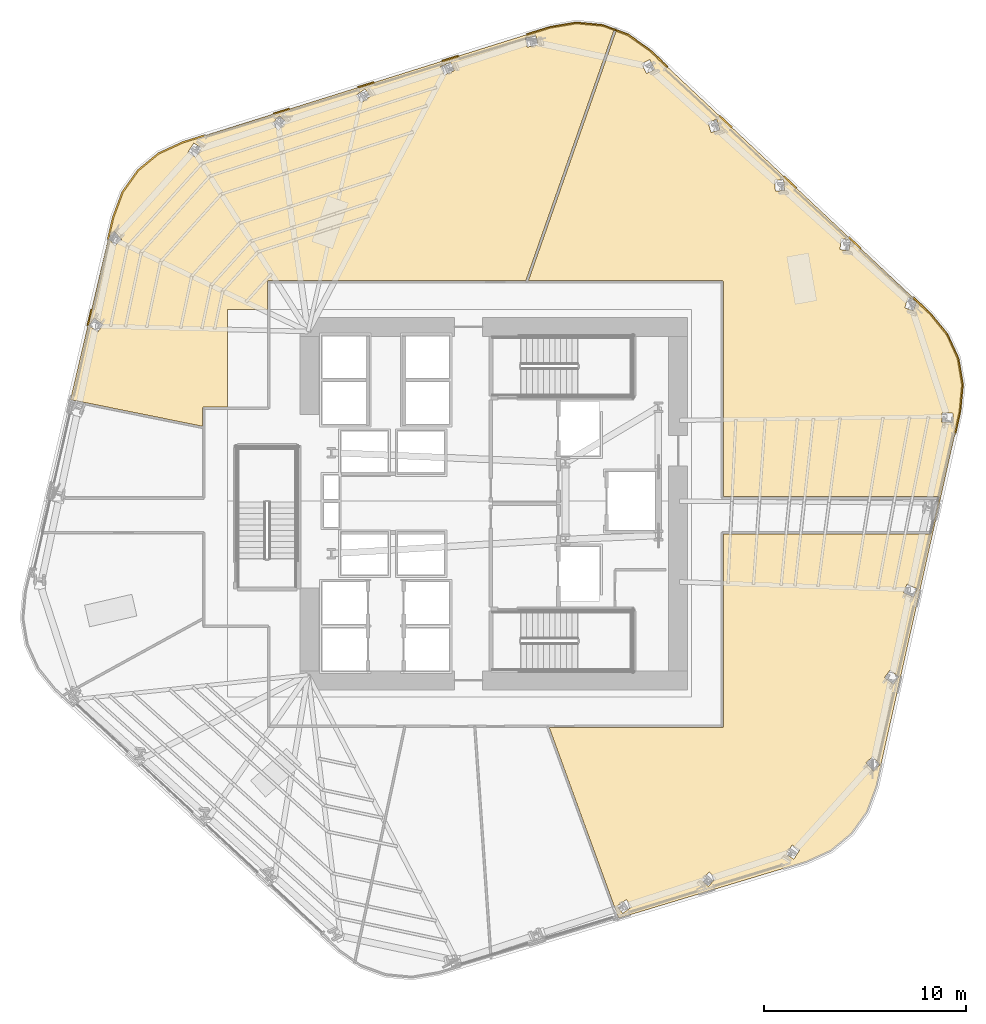
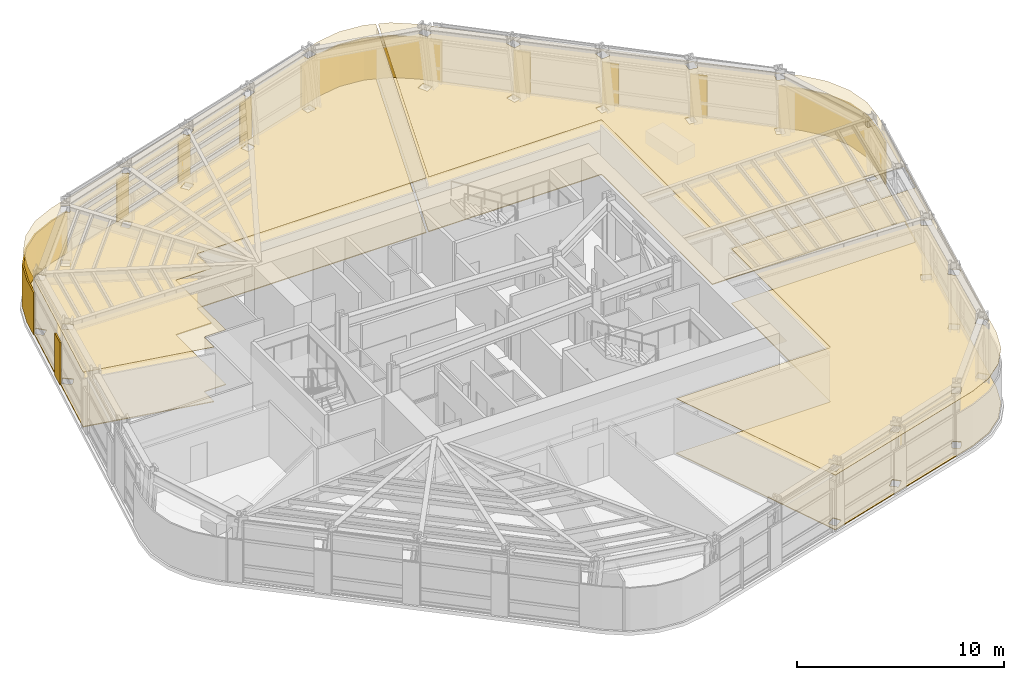
# One storey, part 15 of 16: 14 coverings.
"""IFC4 building model written with IfcOpenShell, lengths in metres."""

from ifc_helpers import new_model, si_unit, direction, frame, origin, place, context, subcontext, project, spatial, polyline, outline, extrude, material, layer, layer_set, type_object, element, save


model = new_model("IFC4")

# Units and contexts
model_context = context("Model", 3, precision=1e-05, world=origin(), true_north=direction((0.0, 1.0)))
body_context = subcontext(model_context, "Body", "Model", "MODEL_VIEW")
ifc_project = project(units=[si_unit("LENGTHUNIT", "METRE"), si_unit("AREAUNIT", "SQUARE_METRE"), si_unit("VOLUMEUNIT", "CUBIC_METRE"), si_unit("PLANEANGLEUNIT", "RADIAN"), si_unit("MASSUNIT", "GRAM", prefix="KILO")], contexts=[model_context])

# Site, building, storey
site_placement = place(None, origin())
site = spatial("IfcSite", under=ifc_project, at=site_placement, CompositionType="ELEMENT")
building_placement = place(site_placement, origin())
building = spatial("IfcBuilding", under=site, at=building_placement, Name="Valkerne Bourse Tower", CompositionType="ELEMENT")
storey_placement = place(building_placement, frame((0.0, 0.0, 97.199951171875)))
storey = spatial("IfcBuildingStorey", under=building, at=storey_placement, Name="L24", CompositionType="ELEMENT", Elevation=97.199951171875)

# Coverings
ifc_material_1 = material(Name="Mineral Fiber Acoustic Ceiling Tile", Category="acoustic")
ifc_layer_1 = layer(ifc_material_1, 0.02490234375)
ifc_layer_set_1 = layer_set([ifc_layer_1], Name="Mineral Fiber Acoustic Ceiling Tile")
covering_type_1 = type_object("IfcCoveringType", Name="COV-CEIL-ACT", PredefinedType="CEILING", material=ifc_layer_set_1)
covering_1_placement = place(storey_placement, frame((0.0, 0.0, 3.22998046875)))
element("IfcCovering", 1, at=covering_1_placement, inside=storey, type_object=covering_type_1, Name="L24 Suspended Ceiling 07", PredefinedType="CEILING", context=body_context, shape_type="SweptSolid", body=[
    extrude(outline(polyline([(29.18212890625, 43.37158203125), (30.198974609375, 44.212646484375), (31.40771484375, 44.76611328125), (49.571533203125, 50.459716796875), (50.881591796875, 50.681396484375), (52.1953125, 50.556884765625), (52.75390625, 50.349365234375), (48.386962890625, 37.9189453125), (35.6494140625, 37.9189453125), (35.619873046875, 37.912109375), (35.591064453125, 37.885986328125), (35.5810546875, 37.8505859375), (35.5810546875, 36.5), (33.60009765625, 36.5), (33.60009765625, 31.667724609375), (32.4326171875, 31.6669921875), (32.394775390625, 31.6416015625), (32.381103515625, 31.6044921875), (32.381103515625, 30.706787109375), (25.83740234375, 32.027099609375), (27.7109375, 40.0126953125), (28.0390625, 39.650390625), (28.371826171875, 39.9501953125), (28.373779296875, 39.953125), (28.01220703125, 40.3525390625), (27.731201171875, 40.099365234375), (27.954345703125, 41.0498046875), (28.417724609375, 42.2958984375), (29.18212890625, 43.37158203125)]), holes=[polyline([(27.45556640625, 35.734130859375), (27.025390625, 36.058837890625), (26.7548828125, 35.701416015625), (26.75341796875, 35.698486328125), (27.18359375, 35.3740234375), (27.4541015625, 35.7314453125), (27.45556640625, 35.734130859375)]), polyline([(32.321533203125, 44.485107421875), (31.94384765625, 44.729248046875), (31.941162109375, 44.72705078125), (31.651123046875, 44.275390625), (32.029052734375, 44.031494140625), (32.031494140625, 44.03369140625), (32.321533203125, 44.485107421875)]), polyline([(36.136962890625, 45.376220703125), (36.5068359375, 45.765380859375), (36.181396484375, 46.075927734375), (36.1787109375, 46.074462890625), (35.808837890625, 45.685302734375), (36.13427734375, 45.37451171875), (36.136962890625, 45.376220703125)]), polyline([(40.23779296875, 46.732421875), (40.67919921875, 47.038330078125), (40.423828125, 47.40869140625), (40.4208984375, 47.40771484375), (39.9794921875, 47.101806640625), (40.23486328125, 46.731689453125), (40.23779296875, 46.732421875)]), polyline([(44.8369140625, 48.312744140625), (44.662109375, 48.727294921875), (44.6591796875, 48.726806640625), (44.164794921875, 48.517333984375), (44.339599609375, 48.102783203125), (44.342529296875, 48.10302734375), (44.8369140625, 48.312744140625)]), polyline([(48.889404296875, 50.036376953125), (48.88623046875, 50.03662109375), (48.361572265625, 49.923583984375), (48.455078125, 49.483642578125), (48.45849609375, 49.4833984375), (48.983154296875, 49.59619140625), (48.889404296875, 50.036376953125)])]), origin(), (0.0, 0.0, 1.0), 0.025146484375),
])
covering_2_placement = place(storey_placement, frame((0.0, 0.0, 3.22998046875)))
element("IfcCovering", 2, at=covering_2_placement, inside=storey, type_object=covering_type_1, Name="L24 Suspended Ceiling 08", PredefinedType="CEILING", context=body_context, shape_type="SweptSolid", body=[
    extrude(outline(polyline([(63.486572265625, 9.7080078125), (62.278564453125, 9.15478515625), (52.97998046875, 6.347900390625), (49.54638671875, 15.781005859375), (58.1005859375, 15.781005859375), (58.135009765625, 15.790283203125), (58.15966796875, 15.81494140625), (58.1689453125, 15.849609375), (58.1689453125, 25.381103515625), (68.413330078125, 25.3818359375), (68.448974609375, 25.3984375), (68.4697265625, 25.434326171875), (68.851318359375, 27.144775390625), (68.84765625, 27.172607421875), (68.833740234375, 27.1962890625), (68.81201171875, 27.21240234375), (68.782958984375, 27.218994140625), (58.1689453125, 27.218994140625), (58.1689453125, 37.8505859375), (58.15185546875, 37.895751953125), (58.12890625, 37.91259765625), (58.100341796875, 37.9189453125), (48.511962890625, 37.9189453125), (52.864501953125, 50.30810546875), (53.431884765625, 50.09716796875), (54.51513671875, 49.327392578125), (67.673583984375, 36.96923828125), (67.3154296875, 37.083984375), (67.14892578125, 36.572998046875), (67.150390625, 36.56982421875), (67.577880859375, 36.432861328125), (67.734130859375, 36.912109375), (68.390380859375, 36.2958984375), (69.23779296875, 35.271484375), (69.787109375, 34.07177734375), (70.007080078125, 32.770751953125), (69.882080078125, 31.447265625), (65.73095703125, 12.8701171875), (65.267578125, 11.624755859375), (64.50341796875, 10.549072265625), (63.486572265625, 9.7080078125)]), holes=[polyline([(53.62060546875, 6.898193359375), (53.365234375, 7.268310546875), (53.3623046875, 7.267578125), (52.9208984375, 6.961669921875), (53.17626953125, 6.59130859375), (53.17919921875, 6.59228515625), (53.62060546875, 6.898193359375)]), polyline([(54.5234375, 48.861083984375), (54.520263671875, 48.8623046875), (54.12158203125, 48.65576171875), (54.366455078125, 48.17724609375), (54.36962890625, 48.176025390625), (54.768310546875, 48.382568359375), (54.5234375, 48.861083984375)]), polyline([(57.421142578125, 7.925537109375), (57.791015625, 8.314697265625), (57.4658203125, 8.62548828125), (57.462890625, 8.623779296875), (57.093017578125, 8.234619140625), (57.41845703125, 7.924072265625), (57.421142578125, 7.925537109375)]), polyline([(61.65869140625, 9.27294921875), (61.94873046875, 9.724609375), (61.571044921875, 9.968505859375), (61.568359375, 9.96630859375), (61.2783203125, 9.514892578125), (61.65625, 9.270751953125), (61.65869140625, 9.27294921875)]), polyline([(65.922607421875, 13.9501953125), (65.56103515625, 14.349609375), (65.228271484375, 14.0498046875), (65.226318359375, 14.046875), (65.587890625, 13.6474609375), (65.920654296875, 13.947509765625), (65.922607421875, 13.9501953125)]), polyline([(66.846435546875, 18.301513671875), (66.41650390625, 18.6259765625), (66.145751953125, 18.2685546875), (66.14453125, 18.265869140625), (66.57470703125, 17.941162109375), (66.84521484375, 18.298583984375), (66.846435546875, 18.301513671875)]), polyline([(67.756591796875, 22.65771484375), (67.26953125, 22.8876953125), (67.0771484375, 22.48291015625), (67.076416015625, 22.479736328125), (67.563720703125, 22.24951171875), (67.755859375, 22.654541015625), (67.756591796875, 22.65771484375)]), polyline([(69.53857421875, 31.351318359375), (69.00048828125, 31.377197265625), (68.978271484375, 30.9296875), (68.978759765625, 30.92626953125), (69.516845703125, 30.900634765625), (69.5390625, 31.34814453125), (69.53857421875, 31.351318359375)]), polyline([(64.453857421875, 39.93701171875), (64.451904296875, 39.939453125), (64.006103515625, 39.993896484375), (63.938720703125, 39.460205078125), (63.940673828125, 39.457763671875), (64.386474609375, 39.4033203125), (64.453857421875, 39.93701171875)]), polyline([(61.1494140625, 42.924560546875), (61.147216796875, 42.926513671875), (60.699462890625, 42.88916015625), (60.7421875, 42.35302734375), (60.74462890625, 42.35107421875), (61.192138671875, 42.388427734375), (61.1494140625, 42.924560546875)]), polyline([(57.987548828125, 45.3837890625), (57.836669921875, 45.900146484375), (57.833984375, 45.901611328125), (57.4033203125, 45.77392578125), (57.55419921875, 45.2578125), (57.556884765625, 45.256103515625), (57.987548828125, 45.3837890625)])]), origin(), (0.0, 0.0, 1.0), 0.025146484375),
])
ifc_material_2 = material(Name="Bronze Anodised Aluminium AA 6063-T6", Category="aluminium")
ifc_layer_2 = layer(ifc_material_2, 0.06005859375)
ifc_layer_set_2 = layer_set([ifc_layer_2], Name="Bronze Anodised Aluminium AA 6063-T6")
covering_type_2 = type_object("IfcCoveringType", Name="COV-CRN-ALUM", PredefinedType="CLADDING", material=ifc_layer_set_2)
covering_3_placement = place(storey_placement, origin())
element("IfcCovering", 3, at=covering_3_placement, inside=storey, type_object=covering_type_2, Name="L24 Wind-Shaped Corner Aluminium Cladding 12", PredefinedType="CLADDING", context=body_context, shape_type="SweptSolid", body=[
    extrude(outline(polyline([(26.84130859375, 36.49853515625), (26.919189453125, 36.480712890625), (26.727294921875, 35.662841796875), (26.6494140625, 35.6806640625), (26.84130859375, 36.49853515625)])), origin(), (0.0, 0.0, 1.0), 2.5),
])
covering_4_placement = place(storey_placement, origin())
element("IfcCovering", 4, at=covering_4_placement, inside=storey, type_object=covering_type_2, Name="L24 Wind-Shaped Corner Aluminium Cladding 13", PredefinedType="CLADDING", context=body_context, shape_type="SweptSolid", body=[
    extrude(outline(polyline([(27.912109375, 41.0625), (28.37841796875, 42.316650390625), (29.149658203125, 43.401611328125), (30.17529296875, 44.250244140625), (31.391845703125, 44.807373046875), (32.484619140625, 45.14990234375), (32.508056640625, 45.0732421875), (31.42041015625, 44.732421875), (30.21826171875, 44.181884765625), (29.208740234375, 43.3466796875), (28.449951171875, 42.27880859375), (27.989013671875, 41.03955078125), (27.728515625, 39.929931640625), (27.650634765625, 39.947998046875), (27.912109375, 41.0625)])), origin(), (0.0, 0.0, 1.0), 2.5),
])
covering_5_placement = place(storey_placement, origin())
element("IfcCovering", 5, at=covering_5_placement, inside=storey, type_object=covering_type_2, Name="L24 Wind-Shaped Corner Aluminium Cladding 14", PredefinedType="CLADDING", context=body_context, shape_type="SweptSolid", body=[
    extrude(outline(polyline([(36.666748046875, 46.460693359375), (36.6904296875, 46.38427734375), (35.888916015625, 46.133056640625), (35.865234375, 46.20947265625), (36.666748046875, 46.460693359375)])), origin(), (0.0, 0.0, 1.0), 2.5),
])
covering_6_placement = place(storey_placement, origin())
element("IfcCovering", 6, at=covering_6_placement, inside=storey, type_object=covering_type_2, Name="L24 Wind-Shaped Corner Aluminium Cladding 15", PredefinedType="CLADDING", context=body_context, shape_type="SweptSolid", body=[
    extrude(outline(polyline([(40.849365234375, 47.771728515625), (40.872802734375, 47.6953125), (40.0712890625, 47.444091796875), (40.047607421875, 47.5205078125), (40.849365234375, 47.771728515625)])), origin(), (0.0, 0.0, 1.0), 2.5),
])
covering_7_placement = place(storey_placement, origin())
element("IfcCovering", 7, at=covering_7_placement, inside=storey, type_object=covering_type_2, Name="L24 Wind-Shaped Corner Aluminium Cladding 16", PredefinedType="CLADDING", context=body_context, shape_type="SweptSolid", body=[
    extrude(outline(polyline([(45.03173828125, 49.082763671875), (45.05517578125, 49.00634765625), (44.253662109375, 48.7548828125), (44.22998046875, 48.83154296875), (45.03173828125, 49.082763671875)])), origin(), (0.0, 0.0, 1.0), 2.5),
])
covering_8_placement = place(storey_placement, origin())
element("IfcCovering", 8, at=covering_8_placement, inside=storey, type_object=covering_type_2, Name="L24 Wind-Shaped Corner Aluminium Cladding 17", PredefinedType="CLADDING", context=body_context, shape_type="SweptSolid", body=[
    extrude(outline(polyline([(49.561279296875, 50.50244140625), (50.8798828125, 50.7255859375), (52.205078125, 50.600341796875), (53.452880859375, 50.136474609375), (54.543212890625, 49.361572265625), (55.420654296875, 48.537353515625), (55.3662109375, 48.478759765625), (54.4921875, 49.299560546875), (53.4150390625, 50.06494140625), (52.187255859375, 50.521484375), (50.8828125, 50.64501953125), (49.579833984375, 50.424560546875), (48.43603515625, 50.06591796875), (48.41259765625, 50.142578125), (49.561279296875, 50.50244140625)])), origin(), (0.0, 0.0, 1.0), 2.5),
])
covering_9_placement = place(storey_placement, origin())
element("IfcCovering", 9, at=covering_9_placement, inside=storey, type_object=covering_type_2, Name="L24 Wind-Shaped Corner Aluminium Cladding 18", PredefinedType="CLADDING", context=body_context, shape_type="SweptSolid", body=[
    extrude(outline(polyline([(58.615478515625, 45.536865234375), (58.56103515625, 45.478271484375), (57.94873046875, 46.05322265625), (58.003173828125, 46.11181640625), (58.615478515625, 45.536865234375)])), origin(), (0.0, 0.0, 1.0), 2.5),
])
covering_10_placement = place(storey_placement, origin())
element("IfcCovering", 10, at=covering_10_placement, inside=storey, type_object=covering_type_2, Name="L24 Wind-Shaped Corner Aluminium Cladding 19", PredefinedType="CLADDING", context=body_context, shape_type="SweptSolid", body=[
    extrude(outline(polyline([(61.810302734375, 42.5361328125), (61.756103515625, 42.4775390625), (61.143798828125, 43.052490234375), (61.197998046875, 43.111083984375), (61.810302734375, 42.5361328125)])), origin(), (0.0, 0.0, 1.0), 2.5),
])
covering_11_placement = place(storey_placement, origin())
element("IfcCovering", 11, at=covering_11_placement, inside=storey, type_object=covering_type_2, Name="L24 Wind-Shaped Corner Aluminium Cladding 20", PredefinedType="CLADDING", context=body_context, shape_type="SweptSolid", body=[
    extrude(outline(polyline([(65.00537109375, 39.53564453125), (64.95068359375, 39.47705078125), (64.338623046875, 40.052001953125), (64.39306640625, 40.110595703125), (65.00537109375, 39.53564453125)])), origin(), (0.0, 0.0, 1.0), 2.5),
])
covering_12_placement = place(storey_placement, origin())
element("IfcCovering", 12, at=covering_12_placement, inside=storey, type_object=covering_type_2, Name="L24 Wind-Shaped Corner Aluminium Cladding 21", PredefinedType="CLADDING", context=body_context, shape_type="SweptSolid", body=[
    extrude(outline(polyline([(68.422607421875, 36.326171875), (69.275390625, 35.295166015625), (69.82958984375, 34.084716796875), (70.051513671875, 32.772216796875), (69.925537109375, 31.440185546875), (69.67578125, 30.32275390625), (69.597900390625, 30.3408203125), (69.846435546875, 31.452880859375), (69.970947265625, 32.769287109375), (69.75244140625, 34.06103515625), (69.20703125, 35.252197265625), (68.364013671875, 36.271240234375), (67.533447265625, 37.051513671875), (67.587890625, 37.110107421875), (68.422607421875, 36.326171875)])), origin(), (0.0, 0.0, 1.0), 2.5),
])
ifc_material_3 = material(Name="Galvanised Painted Steel", Category="steel")
ifc_layer_3 = layer(ifc_material_3, 0.044921875)
ifc_layer_set_3 = layer_set([ifc_layer_3], Name="Galvanised Painted Steel")
covering_type_3 = type_object("IfcCoveringType", Name="COV-FLR-RAF", PredefinedType="FLOORING", material=ifc_layer_set_3)
covering_13_placement = place(storey_placement, origin())
element("IfcCovering", 13, at=covering_13_placement, inside=storey, type_object=covering_type_3, Name="L24 Floor Finish 07", PredefinedType="FLOORING", context=body_context, shape_type="SweptSolid", body=[
    extrude(outline(polyline([(29.18212890625, 43.37158203125), (30.198974609375, 44.212646484375), (31.40771484375, 44.76611328125), (49.571533203125, 50.459716796875), (50.881591796875, 50.681396484375), (52.1953125, 50.556884765625), (52.75390625, 50.349365234375), (48.386962890625, 37.9189453125), (35.6494140625, 37.9189453125), (35.619873046875, 37.912109375), (35.591064453125, 37.885986328125), (35.5810546875, 37.8505859375), (35.5810546875, 36.5), (33.60009765625, 36.5), (33.60009765625, 31.667724609375), (32.4326171875, 31.6669921875), (32.394775390625, 31.6416015625), (32.381103515625, 31.6044921875), (32.381103515625, 30.706787109375), (25.83740234375, 32.027099609375), (27.7109375, 40.0126953125), (28.0390625, 39.650390625), (28.371826171875, 39.9501953125), (28.373779296875, 39.953125), (28.01220703125, 40.3525390625), (27.731201171875, 40.099365234375), (27.954345703125, 41.0498046875), (28.417724609375, 42.2958984375), (29.18212890625, 43.37158203125)]), holes=[polyline([(27.45556640625, 35.734130859375), (27.025390625, 36.058837890625), (26.7548828125, 35.701416015625), (26.75341796875, 35.698486328125), (27.18359375, 35.3740234375), (27.4541015625, 35.7314453125), (27.45556640625, 35.734130859375)]), polyline([(32.321533203125, 44.485107421875), (31.94384765625, 44.729248046875), (31.941162109375, 44.72705078125), (31.651123046875, 44.275390625), (32.029052734375, 44.031494140625), (32.031494140625, 44.03369140625), (32.321533203125, 44.485107421875)]), polyline([(36.136962890625, 45.376220703125), (36.5068359375, 45.765380859375), (36.181396484375, 46.075927734375), (36.1787109375, 46.074462890625), (35.808837890625, 45.685302734375), (36.13427734375, 45.37451171875), (36.136962890625, 45.376220703125)]), polyline([(40.23779296875, 46.732421875), (40.67919921875, 47.038330078125), (40.423828125, 47.40869140625), (40.4208984375, 47.40771484375), (39.9794921875, 47.101806640625), (40.23486328125, 46.731689453125), (40.23779296875, 46.732421875)]), polyline([(44.8369140625, 48.312744140625), (44.662109375, 48.727294921875), (44.6591796875, 48.726806640625), (44.164794921875, 48.517333984375), (44.339599609375, 48.102783203125), (44.342529296875, 48.10302734375), (44.8369140625, 48.312744140625)]), polyline([(48.889404296875, 50.036376953125), (48.88623046875, 50.03662109375), (48.361572265625, 49.923583984375), (48.455078125, 49.483642578125), (48.45849609375, 49.4833984375), (48.983154296875, 49.59619140625), (48.889404296875, 50.036376953125)])]), origin(), (0.0, 0.0, 1.0), 0.045166015625),
])
covering_14_placement = place(storey_placement, origin())
element("IfcCovering", 14, at=covering_14_placement, inside=storey, type_object=covering_type_3, Name="L24 Floor Finish 08", PredefinedType="FLOORING", context=body_context, shape_type="SweptSolid", body=[
    extrude(outline(polyline([(63.486572265625, 9.7080078125), (62.278564453125, 9.15478515625), (52.97998046875, 6.347900390625), (49.54638671875, 15.781005859375), (58.1005859375, 15.781005859375), (58.135009765625, 15.790283203125), (58.15966796875, 15.81494140625), (58.1689453125, 15.849609375), (58.1689453125, 25.381103515625), (68.413330078125, 25.3818359375), (68.448974609375, 25.3984375), (68.4697265625, 25.434326171875), (68.851318359375, 27.144775390625), (68.84765625, 27.172607421875), (68.833740234375, 27.1962890625), (68.81201171875, 27.21240234375), (68.782958984375, 27.218994140625), (58.1689453125, 27.218994140625), (58.1689453125, 37.8505859375), (58.15185546875, 37.895751953125), (58.12890625, 37.91259765625), (58.100341796875, 37.9189453125), (48.511962890625, 37.9189453125), (52.864501953125, 50.30810546875), (53.431884765625, 50.09716796875), (54.51513671875, 49.327392578125), (67.673583984375, 36.96923828125), (67.3154296875, 37.083984375), (67.14892578125, 36.572998046875), (67.150390625, 36.56982421875), (67.577880859375, 36.432861328125), (67.734130859375, 36.912109375), (68.390380859375, 36.2958984375), (69.23779296875, 35.271484375), (69.787109375, 34.07177734375), (70.007080078125, 32.770751953125), (69.882080078125, 31.447265625), (65.73095703125, 12.8701171875), (65.267578125, 11.624755859375), (64.50341796875, 10.549072265625), (63.486572265625, 9.7080078125)]), holes=[polyline([(53.62060546875, 6.898193359375), (53.365234375, 7.268310546875), (53.3623046875, 7.267578125), (52.9208984375, 6.961669921875), (53.17626953125, 6.59130859375), (53.17919921875, 6.59228515625), (53.62060546875, 6.898193359375)]), polyline([(54.5234375, 48.861083984375), (54.520263671875, 48.8623046875), (54.12158203125, 48.65576171875), (54.366455078125, 48.17724609375), (54.36962890625, 48.176025390625), (54.768310546875, 48.382568359375), (54.5234375, 48.861083984375)]), polyline([(57.421142578125, 7.925537109375), (57.791015625, 8.314697265625), (57.4658203125, 8.62548828125), (57.462890625, 8.623779296875), (57.093017578125, 8.234619140625), (57.41845703125, 7.924072265625), (57.421142578125, 7.925537109375)]), polyline([(61.65869140625, 9.27294921875), (61.94873046875, 9.724609375), (61.571044921875, 9.968505859375), (61.568359375, 9.96630859375), (61.2783203125, 9.514892578125), (61.65625, 9.270751953125), (61.65869140625, 9.27294921875)]), polyline([(65.922607421875, 13.9501953125), (65.56103515625, 14.349609375), (65.228271484375, 14.0498046875), (65.226318359375, 14.046875), (65.587890625, 13.6474609375), (65.920654296875, 13.947509765625), (65.922607421875, 13.9501953125)]), polyline([(66.846435546875, 18.301513671875), (66.41650390625, 18.6259765625), (66.145751953125, 18.2685546875), (66.14453125, 18.265869140625), (66.57470703125, 17.941162109375), (66.84521484375, 18.298583984375), (66.846435546875, 18.301513671875)]), polyline([(67.756591796875, 22.65771484375), (67.26953125, 22.8876953125), (67.0771484375, 22.48291015625), (67.076416015625, 22.479736328125), (67.563720703125, 22.24951171875), (67.755859375, 22.654541015625), (67.756591796875, 22.65771484375)]), polyline([(69.53857421875, 31.351318359375), (69.00048828125, 31.377197265625), (68.978271484375, 30.9296875), (68.978759765625, 30.92626953125), (69.516845703125, 30.900634765625), (69.5390625, 31.34814453125), (69.53857421875, 31.351318359375)]), polyline([(64.453857421875, 39.93701171875), (64.451904296875, 39.939453125), (64.006103515625, 39.993896484375), (63.938720703125, 39.460205078125), (63.940673828125, 39.457763671875), (64.386474609375, 39.4033203125), (64.453857421875, 39.93701171875)]), polyline([(61.1494140625, 42.924560546875), (61.147216796875, 42.926513671875), (60.699462890625, 42.88916015625), (60.7421875, 42.35302734375), (60.74462890625, 42.35107421875), (61.192138671875, 42.388427734375), (61.1494140625, 42.924560546875)]), polyline([(57.987548828125, 45.3837890625), (57.836669921875, 45.900146484375), (57.833984375, 45.901611328125), (57.4033203125, 45.77392578125), (57.55419921875, 45.2578125), (57.556884765625, 45.256103515625), (57.987548828125, 45.3837890625)])]), origin(), (0.0, 0.0, 1.0), 0.045166015625),
])

save(model, "model.ifc")
